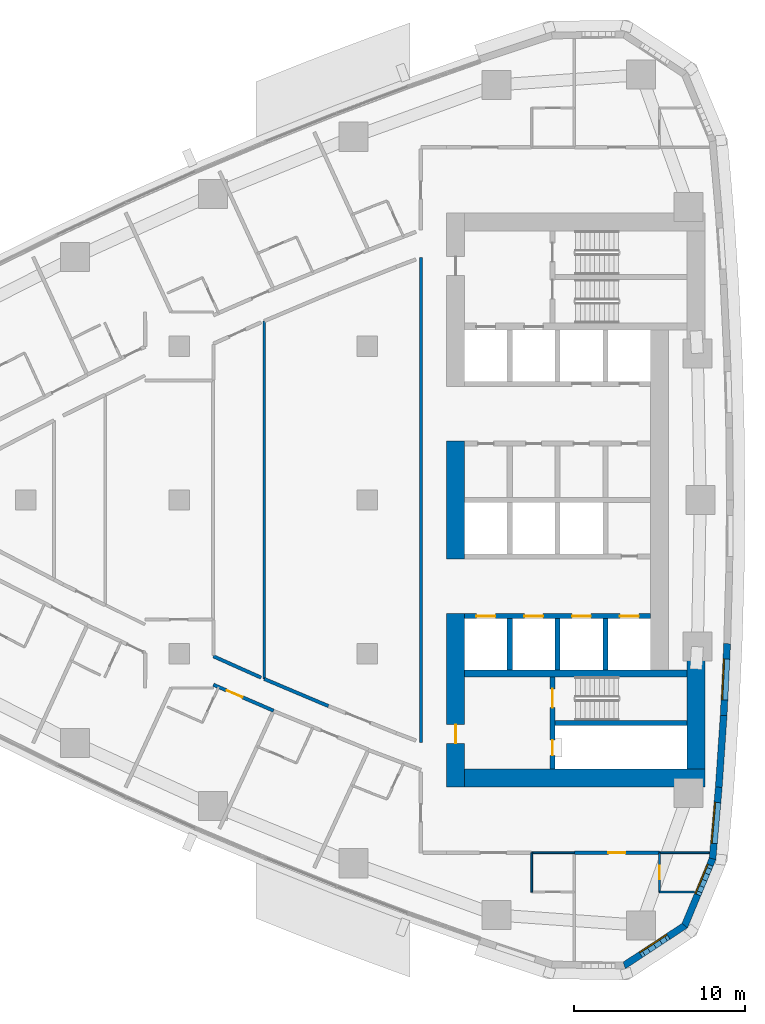
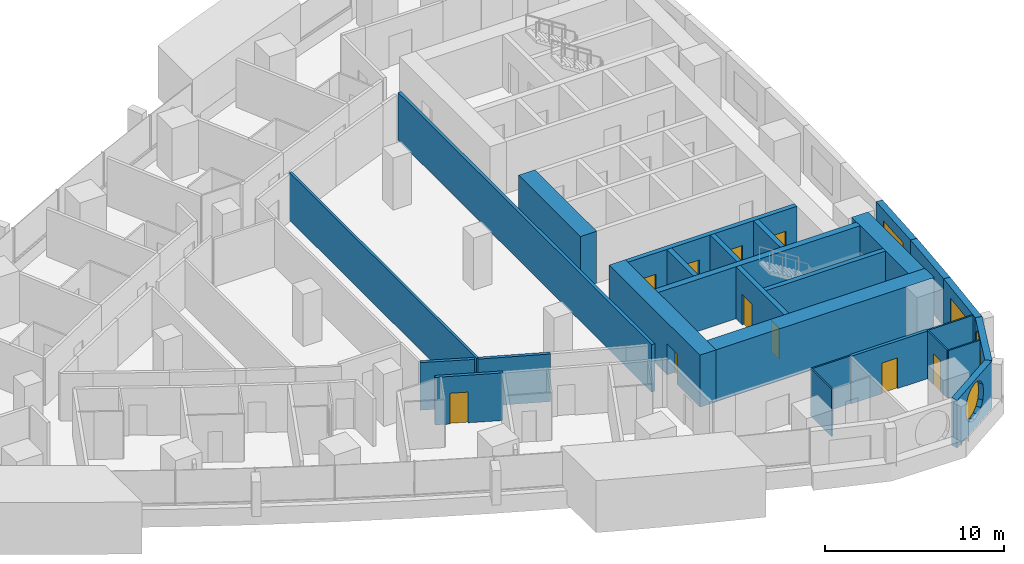
# One storey, part 10 of 17: 27 walls, 10 doors, 4 windows, 14 openings.
"""IFC4 building model written with IfcOpenShell, lengths in metres."""

from ifc_helpers import new_model, si_unit, direction, frame, frame_2d, origin, place, context, subcontext, project, spatial, polyline, rectangle, outline, extrude, material, layer, layer_set, type_object, element, fill, save


model = new_model("IFC4")

# Units and contexts
model_context = context("Model", 3, precision=1e-05, world=origin(), true_north=direction((0.0, 1.0)))
body_context = subcontext(model_context, "Body", "Model", "MODEL_VIEW")
ifc_project = project(units=[si_unit("LENGTHUNIT", "METRE"), si_unit("AREAUNIT", "SQUARE_METRE"), si_unit("VOLUMEUNIT", "CUBIC_METRE"), si_unit("PLANEANGLEUNIT", "RADIAN"), si_unit("MASSUNIT", "GRAM", prefix="KILO")], contexts=[model_context])

# Site, building, storey
site_placement = place(None, origin())
site = spatial("IfcSite", under=ifc_project, at=site_placement, CompositionType="ELEMENT")
building_placement = place(site_placement, origin())
building = spatial("IfcBuilding", under=site, at=building_placement, Name="Ostrand Prow Hotel Tower", CompositionType="ELEMENT")
storey_placement = place(building_placement, frame((0.0, 0.0, 106.199951171875)))
storey = spatial("IfcBuildingStorey", under=building, at=storey_placement, Name="L25", CompositionType="ELEMENT", Elevation=106.199951171875)

# Wall
ifc_material_1 = material(Name="Concrete C80/95", Category="concrete")
ifc_layer_1 = layer(ifc_material_1, 1.050048828125)
ifc_layer_set_1 = layer_set([ifc_layer_1], Name="Concrete C80/95")
wall_type_1 = type_object("IfcWallType", Name="Core wall 1050 C80/95", PredefinedType="SHEAR", material=ifc_layer_set_1)
wall_1_placement = place(storey_placement, frame((50.175048828125, -3.449951171875, 0.0), z_axis=(0.0, 0.0, 1.0), x_axis=(0.0, 1.0, 0.0)))
element("IfcWall", 1, at=wall_1_placement, inside=storey, type_object=wall_type_1, Name="Core wall CW-W-C", PredefinedType="SHEAR", context=body_context, shape_type="SweptSolid", body=[
    extrude(rectangle(XDim=6.89990234375, YDim=1.050048828125, at=frame_2d((3.449951171875, 0.0))), origin(), (0.0, 0.0, 1.0), 3.550048828125),
])

# Wall, opening, door
wall_2_placement = place(storey_placement, frame((50.175048828125, -16.800048828125, 0.0), z_axis=(0.0, 0.0, 1.0), x_axis=(0.0, 1.0, 0.0)))
wall_2 = element("IfcWall", 2, at=wall_2_placement, inside=storey, type_object=wall_type_1, Name="Core wall CW-W-S", PredefinedType="SHEAR", context=body_context, shape_type="SweptSolid", body=[
    extrude(rectangle(XDim=10.150146484375, YDim=1.050048828125, at=frame_2d((5.0751953125, 0.0))), origin(), (0.0, 0.0, 1.0), 3.550048828125),
])
opening_1_placement = place(wall_2_placement, frame((2.550048828125, 0.0, 0.0)))
opening_1 = element("IfcOpeningElement", 3, at=opening_1_placement, cuts=wall_2, Name="Opening FD1", PredefinedType="OPENING", context=body_context, shape_type="SweptSolid", body=[
    extrude(rectangle(XDim=1.10009765625, YDim=2.10009765625, at=frame_2d((0.550048828125, 1.050048828125))), frame((0.0, 0.534912109375, 0.0), z_axis=(0.0, -1.0, 0.0), x_axis=(1.0, 0.0, 0.0)), (0.0, 0.0, 1.0), 1.070068359375),
])
ifc_material_2 = material(Name="Steel fire door", Category="steel")
door_type_1 = type_object("IfcDoorType", Name="Fire door 1100 EI120", OperationType="SINGLE_SWING_RIGHT", PredefinedType="DOOR", material=ifc_material_2)
door_1_placement = place(opening_1_placement, origin())
door_1 = element("IfcDoor", 4, at=door_1_placement, inside=storey, type_object=door_type_1, Name="FIRE DOOR", OperationType="SINGLE_SWING_RIGHT", OverallHeight=2.10009765625, OverallWidth=1.10009765625, PredefinedType="DOOR", context=body_context, shape_type="SweptSolid", body=[
    extrude(rectangle(XDim=1.10009765625, YDim=2.10009765625, at=frame_2d((0.550048828125, 1.050048828125))), frame((0.0, 0.02490234375, 0.0), z_axis=(0.0, -1.0, 0.0), x_axis=(1.0, 0.0, 0.0)), (0.0, 0.0, 1.0), 0.050048828125),
])
fill(opening_1, door_1)

# Walls
wall_3_placement = place(storey_placement, frame((50.699951171875, -16.27490234375, 0.0), z_axis=(0.0, 0.0, 1.0), x_axis=(1.0, 0.0, 0.0)))
element("IfcWall", 5, at=wall_3_placement, inside=storey, type_object=wall_type_1, Name="Core wall CW-S", PredefinedType="SHEAR", context=body_context, shape_type="SweptSolid", body=[
    extrude(rectangle(XDim=14.070068359375, YDim=1.050048828125, at=frame_2d((7.03515625, 0.0))), origin(), (0.0, 0.0, 1.0), 3.550048828125),
])
wall_4_placement = place(storey_placement, frame((64.2451171875, -15.75, 0.0), z_axis=(0.0, 0.0, 1.0), x_axis=(0.0, 1.0, 0.0)))
element("IfcWall", 6, at=wall_4_placement, inside=storey, type_object=wall_type_1, Name="Core wall CW-E-S", PredefinedType="SHEAR", context=body_context, shape_type="SweptSolid", body=[
    extrude(rectangle(XDim=6.361328125, YDim=1.050048828125, at=frame_2d((3.1806640625, 0.0))), origin(), (0.0, 0.0, 1.0), 3.550048828125),
])

# Wall, openings, doors
ifc_material_3 = material(Name="Concrete C80/95", Category="concrete")
ifc_layer_2 = layer(ifc_material_3, 0.300048828125)
ifc_layer_set_2 = layer_set([ifc_layer_2], Name="Concrete C80/95")
wall_type_2 = type_object("IfcWallType", Name="Core wall 300 C80/95", PredefinedType="SHEAR", material=ifc_layer_set_2)
wall_5_placement = place(storey_placement, frame((50.699951171875, -6.800048828125, 0.0), z_axis=(0.0, 0.0, 1.0), x_axis=(1.0, 0.0, 0.0)))
wall_5 = element("IfcWall", 7, at=wall_5_placement, inside=storey, type_object=wall_type_2, Name="Core wall PW-L2-S", PredefinedType="SHEAR", context=body_context, shape_type="SweptSolid", body=[
    extrude(rectangle(XDim=10.900146484375, YDim=0.300048828125, at=frame_2d((5.4501953125, 0.0))), origin(), (0.0, 0.0, 1.0), 3.550048828125),
])
opening_2_placement = place(wall_5_placement, frame((0.699951171875, 0.0, 0.0)))
opening_2 = element("IfcOpeningElement", 8, at=opening_2_placement, cuts=wall_5, Name="Opening LD", PredefinedType="OPENING", context=body_context, shape_type="SweptSolid", body=[
    extrude(rectangle(XDim=1.10009765625, YDim=2.10009765625, at=frame_2d((0.550048828125, 1.050048828125))), frame((0.0, 0.159912109375, 0.0), z_axis=(0.0, -1.0, 0.0), x_axis=(1.0, 0.0, 0.0)), (0.0, 0.0, 1.0), 0.320068359375),
])
opening_3_placement = place(wall_5_placement, frame((3.5, 0.0, 0.0)))
opening_3 = element("IfcOpeningElement", 9, at=opening_3_placement, cuts=wall_5, Name="Opening LD", PredefinedType="OPENING", context=body_context, shape_type="SweptSolid", body=[
    extrude(rectangle(XDim=1.10009765625, YDim=2.10009765625, at=frame_2d((0.550048828125, 1.050048828125))), frame((0.0, 0.159912109375, 0.0), z_axis=(0.0, -1.0, 0.0), x_axis=(1.0, 0.0, 0.0)), (0.0, 0.0, 1.0), 0.320068359375),
])
opening_4_placement = place(wall_5_placement, frame((6.300048828125, 0.0, 0.0)))
opening_4 = element("IfcOpeningElement", 10, at=opening_4_placement, cuts=wall_5, Name="Opening LD", PredefinedType="OPENING", context=body_context, shape_type="SweptSolid", body=[
    extrude(rectangle(XDim=1.10009765625, YDim=2.10009765625, at=frame_2d((0.550048828125, 1.050048828125))), frame((0.0, 0.159912109375, 0.0), z_axis=(0.0, -1.0, 0.0), x_axis=(1.0, 0.0, 0.0)), (0.0, 0.0, 1.0), 0.320068359375),
])
opening_5_placement = place(wall_5_placement, frame((9.10009765625, 0.0, 0.0)))
opening_5 = element("IfcOpeningElement", 11, at=opening_5_placement, cuts=wall_5, Name="Opening LD", PredefinedType="OPENING", context=body_context, shape_type="SweptSolid", body=[
    extrude(rectangle(XDim=1.10009765625, YDim=2.10009765625, at=frame_2d((0.550048828125, 1.050048828125))), frame((0.0, 0.159912109375, 0.0), z_axis=(0.0, -1.0, 0.0), x_axis=(1.0, 0.0, 0.0)), (0.0, 0.0, 1.0), 0.320068359375),
])
ifc_material_4 = material(Name="Stainless steel door", Category="steel")
door_type_2 = type_object("IfcDoorType", Name="Lift landing door 1100", OperationType="DOUBLE_DOOR_SLIDING", PredefinedType="DOOR", material=ifc_material_4)
door_2_placement = place(opening_2_placement, origin())
door_2 = element("IfcDoor", 12, at=door_2_placement, inside=storey, type_object=door_type_2, Name="LIFT LANDING DOOR", OperationType="DOUBLE_DOOR_SLIDING", OverallHeight=2.10009765625, OverallWidth=1.10009765625, PredefinedType="DOOR", context=body_context, shape_type="SweptSolid", body=[
    extrude(rectangle(XDim=1.10009765625, YDim=2.10009765625, at=frame_2d((0.550048828125, 1.050048828125))), frame((0.0, 0.02490234375, 0.0), z_axis=(0.0, -1.0, 0.0), x_axis=(1.0, 0.0, 0.0)), (0.0, 0.0, 1.0), 0.050048828125),
])
fill(opening_2, door_2)
door_3_placement = place(opening_3_placement, origin())
door_3 = element("IfcDoor", 13, at=door_3_placement, inside=storey, type_object=door_type_2, Name="LIFT LANDING DOOR", OperationType="DOUBLE_DOOR_SLIDING", OverallHeight=2.10009765625, OverallWidth=1.10009765625, PredefinedType="DOOR", context=body_context, shape_type="SweptSolid", body=[
    extrude(rectangle(XDim=1.10009765625, YDim=2.10009765625, at=frame_2d((0.550048828125, 1.050048828125))), frame((0.0, 0.02490234375, 0.0), z_axis=(0.0, -1.0, 0.0), x_axis=(1.0, 0.0, 0.0)), (0.0, 0.0, 1.0), 0.050048828125),
])
fill(opening_3, door_3)
door_4_placement = place(opening_4_placement, origin())
door_4 = element("IfcDoor", 14, at=door_4_placement, inside=storey, type_object=door_type_2, Name="LIFT LANDING DOOR", OperationType="DOUBLE_DOOR_SLIDING", OverallHeight=2.10009765625, OverallWidth=1.10009765625, PredefinedType="DOOR", context=body_context, shape_type="SweptSolid", body=[
    extrude(rectangle(XDim=1.10009765625, YDim=2.10009765625, at=frame_2d((0.550048828125, 1.050048828125))), frame((0.0, 0.02490234375, 0.0), z_axis=(0.0, -1.0, 0.0), x_axis=(1.0, 0.0, 0.0)), (0.0, 0.0, 1.0), 0.050048828125),
])
fill(opening_4, door_4)
door_5_placement = place(opening_5_placement, origin())
door_5 = element("IfcDoor", 15, at=door_5_placement, inside=storey, type_object=door_type_2, Name="LIFT LANDING DOOR", OperationType="DOUBLE_DOOR_SLIDING", OverallHeight=2.10009765625, OverallWidth=1.10009765625, PredefinedType="DOOR", context=body_context, shape_type="SweptSolid", body=[
    extrude(rectangle(XDim=1.10009765625, YDim=2.10009765625, at=frame_2d((0.550048828125, 1.050048828125))), frame((0.0, 0.02490234375, 0.0), z_axis=(0.0, -1.0, 0.0), x_axis=(1.0, 0.0, 0.0)), (0.0, 0.0, 1.0), 0.050048828125),
])
fill(opening_5, door_5)

# Walls
for number, where, z_axis, x_axis, name in (
    (16, (53.35009765625, -9.949951171875, 0.0), (0.0, 0.0, 1.0), (0.0, 1.0, 0.0), "Core wall PW-R1-SA"),
    (17, (56.14990234375, -9.949951171875, 0.0), (0.0, 0.0, 1.0), (0.0, 1.0, 0.0), "Core wall PW-R2-SA"),
    (18, (58.949951171875, -9.949951171875, 0.0), (0.0, 0.0, 1.0), (0.0, 1.0, 0.0), "Core wall PW-R3-SA"),
):
    element("IfcWall", number, at=place(storey_placement, frame(where, z_axis=z_axis, x_axis=x_axis)), inside=storey, type_object=wall_type_2, Name=name, PredefinedType="SHEAR", context=body_context, shape_type="SweptSolid", body=[
        extrude(rectangle(XDim=3.0, YDim=0.300048828125, at=frame_2d((1.5, 0.0))), origin(), (0.0, 0.0, 1.0), 3.550048828125),
    ])

# Wall, openings, doors
wall_6_placement = place(storey_placement, frame((55.85009765625, -15.75, 0.0), z_axis=(0.0, 0.0, 1.0), x_axis=(0.0, 1.0, 0.0)))
wall_6 = element("IfcWall", 19, at=wall_6_placement, inside=storey, type_object=wall_type_2, Name="Core wall PW-VS", PredefinedType="SHEAR", context=body_context, shape_type="SweptSolid", body=[
    extrude(rectangle(XDim=5.39990234375, YDim=0.300048828125, at=frame_2d((2.699951171875, 0.0))), origin(), (0.0, 0.0, 1.0), 3.550048828125),
])
opening_6_placement = place(wall_6_placement, frame((3.60009765625, 0.0, 0.0)))
opening_6 = element("IfcOpeningElement", 20, at=opening_6_placement, cuts=wall_6, Name="Opening FD1", PredefinedType="OPENING", context=body_context, shape_type="SweptSolid", body=[
    extrude(rectangle(XDim=1.10009765625, YDim=2.10009765625, at=frame_2d((0.550048828125, 1.050048828125))), frame((0.0, 0.159912109375, 0.0), z_axis=(0.0, -1.0, 0.0), x_axis=(1.0, 0.0, 0.0)), (0.0, 0.0, 1.0), 0.320068359375),
])
opening_7_placement = place(wall_6_placement, frame((0.800048828125, 0.0, 0.0)))
opening_7 = element("IfcOpeningElement", 21, at=opening_7_placement, cuts=wall_6, Name="Opening FD2", PredefinedType="OPENING", context=body_context, shape_type="SweptSolid", body=[
    extrude(rectangle(XDim=0.89990234375, YDim=2.10009765625, at=frame_2d((0.449951171875, 1.050048828125))), frame((0.0, 0.159912109375, 0.0), z_axis=(0.0, -1.0, 0.0), x_axis=(1.0, 0.0, 0.0)), (0.0, 0.0, 1.0), 0.320068359375),
])
door_6_placement = place(opening_6_placement, origin())
door_6 = element("IfcDoor", 22, at=door_6_placement, inside=storey, type_object=door_type_1, Name="FIRE DOOR", OperationType="SINGLE_SWING_RIGHT", OverallHeight=2.10009765625, OverallWidth=1.10009765625, PredefinedType="DOOR", context=body_context, shape_type="SweptSolid", body=[
    extrude(rectangle(XDim=1.10009765625, YDim=2.10009765625, at=frame_2d((0.550048828125, 1.050048828125))), frame((0.0, 0.02490234375, 0.0), z_axis=(0.0, -1.0, 0.0), x_axis=(1.0, 0.0, 0.0)), (0.0, 0.0, 1.0), 0.050048828125),
])
fill(opening_6, door_6)
ifc_material_5 = material(Name="Steel fire door", Category="steel")
door_type_3 = type_object("IfcDoorType", Name="Fire door 900 EI120", OperationType="SINGLE_SWING_LEFT", PredefinedType="DOOR", material=ifc_material_5)
door_7_placement = place(opening_7_placement, origin())
door_7 = element("IfcDoor", 23, at=door_7_placement, inside=storey, type_object=door_type_3, Name="FIRE DOOR", OperationType="SINGLE_SWING_LEFT", OverallHeight=2.10009765625, OverallWidth=0.89990234375, PredefinedType="DOOR", context=body_context, shape_type="SweptSolid", body=[
    extrude(rectangle(XDim=0.89990234375, YDim=2.10009765625, at=frame_2d((0.449951171875, 1.050048828125))), frame((0.0, 0.02490234375, 0.0), z_axis=(0.0, -1.0, 0.0), x_axis=(1.0, 0.0, 0.0)), (0.0, 0.0, 1.0), 0.050048828125),
])
fill(opening_7, door_7)

# Walls
wall_7_placement = place(storey_placement, frame((56.0, -13.050048828125, 0.0), z_axis=(0.0, 0.0, 1.0), x_axis=(1.0, 0.0, 0.0)))
element("IfcWall", 24, at=wall_7_placement, inside=storey, type_object=wall_type_2, Name="Core wall PW-ST2R", PredefinedType="SHEAR", context=body_context, shape_type="SweptSolid", body=[
    extrude(rectangle(XDim=7.719970703125, YDim=0.300048828125, at=frame_2d((3.85986328125, 0.0))), origin(), (0.0, 0.0, 1.0), 3.550048828125),
])
ifc_material_6 = material(Name="Concrete C80/95", Category="concrete")
ifc_layer_3 = layer(ifc_material_6, 0.39990234375)
ifc_layer_set_3 = layer_set([ifc_layer_3], Name="Concrete C80/95")
wall_type_3 = type_object("IfcWallType", Name="Core wall 400 C80/95", PredefinedType="SHEAR", material=ifc_layer_set_3)
wall_8_placement = place(storey_placement, frame((50.699951171875, -10.14990234375, 0.0), z_axis=(0.0, 0.0, 1.0), x_axis=(1.0, 0.0, 0.0)))
element("IfcWall", 25, at=wall_8_placement, inside=storey, type_object=wall_type_3, Name="Core wall PW-BS", PredefinedType="SHEAR", context=body_context, shape_type="SweptSolid", body=[
    extrude(rectangle(XDim=13.02001953125, YDim=0.39990234375, at=frame_2d((6.510009765625, 0.0))), origin(), (0.0, 0.0, 1.0), 3.550048828125),
])
ifc_material_7 = material(Name="Plasterboard partition")
ifc_layer_4 = layer(ifc_material_7, 0.10009765625)
ifc_layer_set_4 = layer_set([ifc_layer_4], Name="Plasterboard partition")
wall_type_4 = type_object("IfcWallType", Name="Partition 100 bathroom wall", PredefinedType="PARTITIONING", material=ifc_layer_set_4)
wall_9_placement = place(storey_placement, frame((54.630615234375, -22.949951171875, 0.0), z_axis=(0.0, 0.0, 1.0), x_axis=(0.0, 1.0, 0.0)))
element("IfcWall", 26, at=wall_9_placement, inside=storey, type_object=wall_type_4, Name="BATHROOM WALL", PredefinedType="PARTITIONING", context=body_context, shape_type="SweptSolid", body=[
    extrude(rectangle(XDim=2.300048828125, YDim=0.10009765625, at=frame_2d((1.14990234375, 0.0))), origin(), (0.0, 0.0, 1.0), 3.25),
])
wall_10_placement = place(storey_placement, frame((64.160400390625, -22.949951171875, 0.0), z_axis=(0.0, 0.0, 1.0), x_axis=(-1.0, 0.0, 0.0)))
element("IfcWall", 27, at=wall_10_placement, inside=storey, type_object=wall_type_4, Name="BATHROOM WALL", PredefinedType="PARTITIONING", context=body_context, shape_type="SweptSolid", body=[
    extrude(rectangle(XDim=2.04931640625, YDim=0.10009765625, at=frame_2d((1.024658203125, 0.0))), origin(), (0.0, 0.0, 1.0), 3.25),
])

# Wall, opening, door
wall_11_placement = place(storey_placement, frame((62.111083984375, -22.949951171875, 0.0), z_axis=(0.0, 0.0, 1.0), x_axis=(0.0, 1.0, 0.0)))
wall_11 = element("IfcWall", 28, at=wall_11_placement, inside=storey, type_object=wall_type_4, Name="BATHROOM WALL", PredefinedType="PARTITIONING", context=body_context, shape_type="SweptSolid", body=[
    extrude(rectangle(XDim=2.300048828125, YDim=0.10009765625, at=frame_2d((1.14990234375, 0.0))), origin(), (0.0, 0.0, 1.0), 3.25),
])
opening_8_placement = place(wall_11_placement, frame((0.75, 0.0, 0.0)))
opening_8 = element("IfcOpeningElement", 29, at=opening_8_placement, cuts=wall_11, Name="Opening D2", PredefinedType="OPENING", context=body_context, shape_type="SweptSolid", body=[
    extrude(rectangle(XDim=0.800048828125, YDim=2.10009765625, at=frame_2d((0.39990234375, 1.050048828125))), frame((0.0, 0.06005859375, 0.0), z_axis=(0.0, -1.0, 0.0), x_axis=(1.0, 0.0, 0.0)), (0.0, 0.0, 1.0), 0.1201171875),
])
ifc_material_8 = material(Name="Timber door leaf", Category="wood")
door_type_4 = type_object("IfcDoorType", Name="Bathroom door 800", OperationType="SINGLE_SWING_LEFT", PredefinedType="DOOR", material=ifc_material_8)
door_8_placement = place(opening_8_placement, origin())
door_8 = element("IfcDoor", 30, at=door_8_placement, inside=storey, type_object=door_type_4, Name="DOOR", OperationType="SINGLE_SWING_LEFT", OverallHeight=2.10009765625, OverallWidth=0.800048828125, PredefinedType="DOOR", context=body_context, shape_type="SweptSolid", body=[
    extrude(rectangle(XDim=0.800048828125, YDim=2.10009765625, at=frame_2d((0.39990234375, 1.050048828125))), frame((0.0, 0.02490234375, 0.0), z_axis=(0.0, -1.0, 0.0), x_axis=(1.0, 0.0, 0.0)), (0.0, 0.0, 1.0), 0.050048828125),
])
fill(opening_8, door_8)

# Walls
wall_12_placement = place(storey_placement, frame((54.630615234375, -20.655029296875, 0.0), z_axis=(0.0, 0.0, 1.0), x_axis=(1.0, 0.0, 0.0)))
element("IfcWall", 31, at=wall_12_placement, inside=storey, type_object=wall_type_4, Name="BATHROOM WALL", PredefinedType="PARTITIONING", context=body_context, shape_type="SweptSolid", body=[
    extrude(rectangle(XDim=2.5, YDim=0.10009765625, at=frame_2d((1.25, 0.0))), origin(), (0.0, 0.0, 1.0), 3.25),
])
wall_13_placement = place(storey_placement, frame((62.111083984375, -20.655029296875, 0.0), z_axis=(0.0, 0.0, 1.0), x_axis=(1.0, 0.0, 0.0)))
element("IfcWall", 32, at=wall_13_placement, inside=storey, type_object=wall_type_4, Name="BATHROOM WALL", PredefinedType="PARTITIONING", context=body_context, shape_type="SweptSolid", body=[
    extrude(rectangle(XDim=2.90576171875, YDim=0.10009765625, at=frame_2d((1.452880859375, 0.0))), origin(), (0.0, 0.0, 1.0), 3.25),
])
ifc_material_9 = material(Name="Plasterboard partition")
ifc_layer_5 = layer(ifc_material_9, 0.14990234375)
ifc_layer_set_5 = layer_set([ifc_layer_5], Name="Plasterboard partition")
wall_type_5 = type_object("IfcWallType", Name="Partition 150 room partition", PredefinedType="PARTITIONING", material=ifc_layer_set_5)
wall_14_placement = place(storey_placement, frame((38.974609375, -10.474365234375, 0.0), z_axis=(0.0, 0.0, 1.0), x_axis=(0.0, 1.0, 0.0)))
element("IfcWall", 33, at=wall_14_placement, inside=storey, type_object=wall_type_5, Name="ROOM PARTITION", PredefinedType="PARTITIONING", context=body_context, shape_type="SweptSolid", body=[
    extrude(rectangle(XDim=20.94873046875, YDim=0.14990234375, at=frame_2d((10.474365234375, 0.0))), origin(), (0.0, 0.0, 1.0), 3.25),
])

# Wall, opening, door
ifc_material_10 = material(Name="Plasterboard partition")
ifc_layer_6 = layer(ifc_material_10, 0.199951171875)
ifc_layer_set_6 = layer_set([ifc_layer_6], Name="Plasterboard partition")
wall_type_6 = type_object("IfcWallType", Name="Partition 200 corridor wall", PredefinedType="PARTITIONING", material=ifc_layer_set_6)
wall_15_placement = place(storey_placement, frame((36.0, -10.814697265625, 0.0), z_axis=(0.0, 0.0, 1.0), x_axis=(0.918174446699, -0.396176331233, 0.0)))
wall_15 = element("IfcWall", 34, at=wall_15_placement, inside=storey, type_object=wall_type_6, Name="CORRIDOR WALL", PredefinedType="PARTITIONING", context=body_context, shape_type="SweptSolid", body=[
    extrude(rectangle(XDim=3.836181640625, YDim=0.199951171875, at=frame_2d((1.91796875, 0.0))), origin(), (0.0, 0.0, 1.0), 3.25),
])
opening_9_placement = place(wall_15_placement, frame((0.85009765625, 0.0, 0.0)))
opening_9 = element("IfcOpeningElement", 35, at=opening_9_placement, cuts=wall_15, Name="Opening D1", PredefinedType="OPENING", context=body_context, shape_type="SweptSolid", body=[
    extrude(rectangle(XDim=1.0, YDim=2.10009765625, at=frame_2d((0.5, 1.050048828125))), frame((0.0, 0.10986328125, 0.0), z_axis=(0.0, -1.0, 0.0), x_axis=(1.0, 0.0, 0.0)), (0.0, 0.0, 1.0), 0.219970703125),
])
ifc_material_11 = material(Name="Timber door leaf", Category="wood")
door_type_5 = type_object("IfcDoorType", Name="Guest room door 1000", OperationType="SINGLE_SWING_LEFT", PredefinedType="DOOR", material=ifc_material_11)
door_9_placement = place(opening_9_placement, origin())
door_9 = element("IfcDoor", 36, at=door_9_placement, inside=storey, type_object=door_type_5, Name="DOOR", OperationType="SINGLE_SWING_LEFT", OverallHeight=2.10009765625, OverallWidth=1.0, PredefinedType="DOOR", context=body_context, shape_type="SweptSolid", body=[
    extrude(rectangle(XDim=1.0, YDim=2.10009765625, at=frame_2d((0.5, 1.050048828125))), frame((0.0, 0.02490234375, 0.0), z_axis=(0.0, -1.0, 0.0), x_axis=(1.0, 0.0, 0.0)), (0.0, 0.0, 1.0), 0.050048828125),
])
fill(opening_9, door_9)

# Walls
wall_16_placement = place(storey_placement, frame((38.7919921875, -10.397216796875, 0.0), z_axis=(0.0, 0.0, 1.0), x_axis=(-0.913029587861, 0.407893333716, 0.0)))
element("IfcWall", 37, at=wall_16_placement, inside=storey, type_object=wall_type_6, Name="CORRIDOR WALL", PredefinedType="PARTITIONING", context=body_context, shape_type="SweptSolid", body=[
    extrude(rectangle(XDim=3.057861328125, YDim=0.199951171875, at=frame_2d((1.52880859375, 0.0))), origin(), (0.0, 0.0, 1.0), 3.25),
])
wall_17_placement = place(storey_placement, frame((42.727783203125, -12.0615234375, 0.0), z_axis=(0.0, 0.0, 1.0), x_axis=(-0.921030909625, 0.389489490891, 0.0)))
element("IfcWall", 38, at=wall_17_placement, inside=storey, type_object=wall_type_6, Name="CORRIDOR WALL", PredefinedType="PARTITIONING", context=body_context, shape_type="SweptSolid", body=[
    extrude(rectangle(XDim=4.074951171875, YDim=0.199951171875, at=frame_2d((2.03759765625, 0.0))), origin(), (0.0, 0.0, 1.0), 3.25),
])

# Wall, opening, door
wall_18_placement = place(storey_placement, frame((57.135498046875, -20.655029296875, 0.0), z_axis=(0.0, 0.0, 1.0), x_axis=(1.0, 0.0, 0.0)))
wall_18 = element("IfcWall", 39, at=wall_18_placement, inside=storey, type_object=wall_type_6, Name="CORRIDOR WALL", PredefinedType="PARTITIONING", context=body_context, shape_type="SweptSolid", body=[
    extrude(rectangle(XDim=4.970703125, YDim=0.199951171875, at=frame_2d((2.4853515625, 0.0))), origin(), (0.0, 0.0, 1.0), 3.25),
])
opening_10_placement = place(wall_18_placement, frame((1.9853515625, 0.0, 0.0)))
opening_10 = element("IfcOpeningElement", 40, at=opening_10_placement, cuts=wall_18, Name="Opening D1R", PredefinedType="OPENING", context=body_context, shape_type="SweptSolid", body=[
    extrude(rectangle(XDim=1.0, YDim=2.10009765625, at=frame_2d((0.5, 1.050048828125))), frame((0.0, 0.10986328125, 0.0), z_axis=(0.0, -1.0, 0.0), x_axis=(1.0, 0.0, 0.0)), (0.0, 0.0, 1.0), 0.219970703125),
])
ifc_material_12 = material(Name="Timber door leaf", Category="wood")
door_type_6 = type_object("IfcDoorType", Name="Guest room door 1000 right", OperationType="SINGLE_SWING_RIGHT", PredefinedType="DOOR", material=ifc_material_12)
door_10_placement = place(opening_10_placement, origin())
door_10 = element("IfcDoor", 41, at=door_10_placement, inside=storey, type_object=door_type_6, Name="DOOR", OperationType="SINGLE_SWING_RIGHT", OverallHeight=2.10009765625, OverallWidth=1.0, PredefinedType="DOOR", context=body_context, shape_type="SweptSolid", body=[
    extrude(rectangle(XDim=1.0, YDim=2.10009765625, at=frame_2d((0.5, 1.050048828125))), frame((0.0, 0.02490234375, 0.0), z_axis=(0.0, -1.0, 0.0), x_axis=(1.0, 0.0, 0.0)), (0.0, 0.0, 1.0), 0.050048828125),
])
fill(opening_10, door_10)

# Wall
wall_19_placement = place(storey_placement, frame((48.14990234375, 14.188720703125, 0.0), z_axis=(0.0, 0.0, 1.0), x_axis=(0.0, -1.0, 0.0)))
element("IfcWall", 42, at=wall_19_placement, inside=storey, type_object=wall_type_6, Name="CORRIDOR WALL", PredefinedType="PARTITIONING", context=body_context, shape_type="SweptSolid", body=[
    extrude(rectangle(XDim=28.37744140625, YDim=0.199951171875, at=frame_2d((14.188720703125, 0.0))), origin(), (0.0, 0.0, 1.0), 3.25),
])

# Wall, opening, window
ifc_material_13 = material(Name="Precast concrete C40/50", Category="concrete")
ifc_layer_7 = layer(ifc_material_13, 0.39990234375)
ifc_layer_set_7 = layer_set([ifc_layer_7], Name="Precast concrete C40/50")
wall_type_7 = type_object("IfcWallType", Name="Stone-faced precast wall 400 mm", PredefinedType="NOTDEFINED", material=ifc_layer_set_7)
wall_20_placement = place(storey_placement, frame((60.048583984375, -27.245849609375, 0.0), z_axis=(0.0, 0.0, 1.0), x_axis=(0.835340523653, 0.549732852887, 0.0)))
wall_20 = element("IfcWall", 43, at=wall_20_placement, inside=storey, type_object=wall_type_7, Name="Stone-faced wall back 3", PredefinedType="NOTDEFINED", context=body_context, shape_type="SweptSolid", body=[
    extrude(outline(polyline([(-0.061279296875, -0.199951171875), (4.30029296875, -0.199951171875), (4.177734375, 0.199951171875), (0.061279296875, 0.199951171875), (-0.061279296875, -0.199951171875)])), origin(), (0.0, 0.0, 1.0), 3.25),
])
opening_11_placement = place(wall_20_placement, frame((1.01953125, 0.0, 0.60009765625)))
opening_11 = element("IfcOpeningElement", 44, at=opening_11_placement, cuts=wall_20, Name="Opening WP2", PredefinedType="OPENING", context=body_context, shape_type="SweptSolid", body=[
    extrude(outline(polyline([(0.0, 1.35009765625), (0.083740234375, 1.77099609375), (0.322265625, 2.127685546875), (0.678955078125, 2.3662109375), (1.10009765625, 2.449951171875), (1.52099609375, 2.3662109375), (1.877685546875, 2.127685546875), (2.1162109375, 1.77099609375), (2.199951171875, 1.35009765625), (2.199951171875, 1.10009765625), (2.1162109375, 0.678955078125), (1.877685546875, 0.322265625), (1.52099609375, 0.083740234375), (1.10009765625, 0.0), (0.678955078125, 0.083740234375), (0.322265625, 0.322265625), (0.083740234375, 0.678955078125), (0.0, 1.099853515625), (0.0, 1.35009765625)])), frame((0.0, 0.2099609375, 0.0), z_axis=(0.0, -1.0, 0.0), x_axis=(1.0, 0.0, 0.0)), (0.0, 0.0, 1.0), 0.419921875),
])
ifc_material_14 = material(Name="Insulated glass in bronze frame", Category="glass")
window_type_1 = type_object("IfcWindowType", Name="Round-ended prow lounge window 2200x2450", PartitioningType="SINGLE_PANEL", PredefinedType="WINDOW", material=ifc_material_14)
window_1_placement = place(opening_11_placement, origin())
window_1 = element("IfcWindow", 45, at=window_1_placement, inside=storey, type_object=window_type_1, Name="Window back 3.1", OverallHeight=2.449951171875, OverallWidth=2.199951171875, PartitioningType="SINGLE_PANEL", PredefinedType="WINDOW", context=body_context, shape_type="SweptSolid", body=[
    extrude(outline(polyline([(0.0, 1.35009765625), (0.083740234375, 1.77099609375), (0.322265625, 2.127685546875), (0.678955078125, 2.3662109375), (1.10009765625, 2.449951171875), (1.52099609375, 2.3662109375), (1.877685546875, 2.127685546875), (2.1162109375, 1.77099609375), (2.199951171875, 1.35009765625), (2.199951171875, 1.10009765625), (2.1162109375, 0.678955078125), (1.877685546875, 0.322265625), (1.52099609375, 0.083740234375), (1.10009765625, 0.0), (0.678955078125, 0.083740234375), (0.322265625, 0.322265625), (0.083740234375, 0.678955078125), (0.0, 1.099853515625), (0.0, 1.35009765625)])), frame((0.0, 0.169921875, 0.0), z_axis=(0.0, -1.0, 0.0), x_axis=(1.0, 0.0, 0.0)), (0.0, 0.0, 1.0), 0.06005859375),
])
fill(opening_11, window_1)

wall_21_placement = place(storey_placement, frame((63.589599609375, -24.91552734375, 0.0), z_axis=(0.0, 0.0, 1.0), x_axis=(0.383997751971, 0.923334027577, 0.0)))
wall_21 = element("IfcWall", 46, at=wall_21_placement, inside=storey, type_object=wall_type_7, Name="Stone-faced wall back 4", PredefinedType="NOTDEFINED", context=body_context, shape_type="SweptSolid", body=[
    extrude(outline(polyline([(-0.061279296875, -0.199951171875), (4.269775390625, -0.199951171875), (4.207763671875, 0.199951171875), (0.061279296875, 0.199951171875), (-0.061279296875, -0.199951171875)])), origin(), (0.0, 0.0, 1.0), 3.25),
])
opening_12_placement = place(wall_21_placement, frame((1.852294921875, 0.0, 0.60009765625)))
opening_12 = element("IfcOpeningElement", 47, at=opening_12_placement, cuts=wall_21, Name="Opening WP2-21", PredefinedType="OPENING", context=body_context, shape_type="SweptSolid", body=[
    extrude(outline(polyline([(0.0, 1.39990234375), (0.079833984375, 1.8017578125), (0.3076171875, 2.142333984375), (0.648193359375, 2.3701171875), (1.050048828125, 2.449951171875), (1.451904296875, 2.3701171875), (1.79248046875, 2.142333984375), (2.020263671875, 1.8017578125), (2.10009765625, 1.39990234375), (2.10009765625, 1.050048828125), (2.020263671875, 0.648193359375), (1.79248046875, 0.3076171875), (1.451904296875, 0.079833984375), (1.050048828125, 0.0), (0.648193359375, 0.079833984375), (0.3076171875, 0.3076171875), (0.079833984375, 0.648193359375), (0.0, 1.050048828125), (0.0, 1.39990234375)])), frame((0.0, 0.2099609375, 0.0), z_axis=(0.0, -1.0, 0.0), x_axis=(1.0, 0.0, 0.0)), (0.0, 0.0, 1.0), 0.419921875),
])
ifc_material_15 = material(Name="Insulated glass in bronze frame", Category="glass")
window_type_2 = type_object("IfcWindowType", Name="Round-ended prow lounge window 2100x2450", PartitioningType="SINGLE_PANEL", PredefinedType="WINDOW", material=ifc_material_15)
window_2_placement = place(opening_12_placement, origin())
window_2 = element("IfcWindow", 48, at=window_2_placement, inside=storey, type_object=window_type_2, Name="Window back 4.1", OverallHeight=2.449951171875, OverallWidth=2.10009765625, PartitioningType="SINGLE_PANEL", PredefinedType="WINDOW", context=body_context, shape_type="SweptSolid", body=[
    extrude(outline(polyline([(0.0, 1.39990234375), (0.079833984375, 1.8017578125), (0.3076171875, 2.142333984375), (0.648193359375, 2.3701171875), (1.050048828125, 2.449951171875), (1.451904296875, 2.3701171875), (1.79248046875, 2.142333984375), (2.020263671875, 1.8017578125), (2.10009765625, 1.39990234375), (2.10009765625, 1.050048828125), (2.020263671875, 0.648193359375), (1.79248046875, 0.3076171875), (1.451904296875, 0.079833984375), (1.050048828125, 0.0), (0.648193359375, 0.079833984375), (0.3076171875, 0.3076171875), (0.079833984375, 0.648193359375), (0.0, 1.050048828125), (0.0, 1.39990234375)])), frame((0.0, 0.169921875, 0.0), z_axis=(0.0, -1.0, 0.0), x_axis=(1.0, 0.0, 0.0)), (0.0, 0.0, 1.0), 0.06005859375),
])
fill(opening_12, window_2)

wall_22_placement = place(storey_placement, frame((65.21728515625, -21.001708984375, 0.0), z_axis=(0.0, 0.0, 1.0), x_axis=(0.086992730434, 0.996208946382, 0.0)))
wall_22 = element("IfcWall", 49, at=wall_22_placement, inside=storey, type_object=wall_type_7, Name="Stone-faced wall back 5", PredefinedType="NOTDEFINED", context=body_context, shape_type="SweptSolid", body=[
    extrude(outline(polyline([(-0.031005859375, -0.199951171875), (4.208740234375, -0.199951171875), (4.204833984375, 0.199951171875), (0.031005859375, 0.199951171875), (-0.031005859375, -0.199951171875)])), origin(), (0.0, 0.0, 1.0), 3.25),
])
opening_13_placement = place(wall_22_placement, frame((0.9033203125, 0.0, 0.5)))
opening_13 = element("IfcOpeningElement", 50, at=opening_13_placement, cuts=wall_22, Name="Opening WA1", PredefinedType="OPENING", context=body_context, shape_type="SweptSolid", body=[
    extrude(rectangle(XDim=2.39990234375, YDim=2.0, at=frame_2d((1.199951171875, 1.0))), frame((0.0, 0.2099609375, 0.0), z_axis=(0.0, -1.0, 0.0), x_axis=(1.0, 0.0, 0.0)), (0.0, 0.0, 1.0), 0.419921875),
])
ifc_material_16 = material(Name="Insulated glass in bronze frame", Category="glass")
window_type_3 = type_object("IfcWindowType", Name="Amenity picture window 2400x2000", PartitioningType="SINGLE_PANEL", PredefinedType="WINDOW", material=ifc_material_16)
window_3_placement = place(opening_13_placement, origin())
window_3 = element("IfcWindow", 51, at=window_3_placement, inside=storey, type_object=window_type_3, Name="Window back 5.1", OverallHeight=2.0, OverallWidth=2.39990234375, PartitioningType="SINGLE_PANEL", PredefinedType="WINDOW", context=body_context, shape_type="SweptSolid", body=[
    extrude(rectangle(XDim=2.39990234375, YDim=2.0, at=frame_2d((1.199951171875, 1.0))), frame((0.0, 0.169921875, 0.0), z_axis=(0.0, -1.0, 0.0), x_axis=(1.0, 0.0, 0.0)), (0.0, 0.0, 1.0), 0.06005859375),
])
fill(opening_13, window_3)

# Wall
wall_23_placement = place(storey_placement, frame((65.583251953125, -16.810791015625, 0.0), z_axis=(0.0, 0.0, 1.0), x_axis=(0.067724559895, 0.997704056315, 0.0)))
element("IfcWall", 52, at=wall_23_placement, inside=storey, type_object=wall_type_7, Name="Stone-faced wall back 6", PredefinedType="NOTDEFINED", context=body_context, shape_type="SweptSolid", body=[
    extrude(outline(polyline([(-0.001953125, -0.199951171875), (4.208984375, -0.199951171875), (4.205078125, 0.199951171875), (0.001953125, 0.199951171875), (-0.001953125, -0.199951171875)])), origin(), (0.0, 0.0, 1.0), 3.25),
])

# Wall, opening, window
wall_24_placement = place(storey_placement, frame((65.8681640625, -12.613525390625, 0.0), z_axis=(0.0, 0.0, 1.0), x_axis=(0.048342691508, 0.998830808585, 0.0)))
wall_24 = element("IfcWall", 53, at=wall_24_placement, inside=storey, type_object=wall_type_7, Name="Stone-faced wall back 7", PredefinedType="NOTDEFINED", context=body_context, shape_type="SweptSolid", body=[
    extrude(outline(polyline([(-0.001953125, -0.199951171875), (4.208740234375, -0.199951171875), (4.204833984375, 0.199951171875), (0.001953125, 0.199951171875), (-0.001953125, -0.199951171875)])), origin(), (0.0, 0.0, 1.0), 3.25),
])
opening_14_placement = place(wall_24_placement, frame((0.9033203125, 0.0, 0.5)))
opening_14 = element("IfcOpeningElement", 54, at=opening_14_placement, cuts=wall_24, Name="Opening WA1", PredefinedType="OPENING", context=body_context, shape_type="SweptSolid", body=[
    extrude(rectangle(XDim=2.39990234375, YDim=2.0, at=frame_2d((1.199951171875, 1.0))), frame((0.0, 0.2099609375, 0.0), z_axis=(0.0, -1.0, 0.0), x_axis=(1.0, 0.0, 0.0)), (0.0, 0.0, 1.0), 0.419921875),
])
window_4_placement = place(opening_14_placement, origin())
window_4 = element("IfcWindow", 55, at=window_4_placement, inside=storey, type_object=window_type_3, Name="Window back 7.1", OverallHeight=2.0, OverallWidth=2.39990234375, PartitioningType="SINGLE_PANEL", PredefinedType="WINDOW", context=body_context, shape_type="SweptSolid", body=[
    extrude(rectangle(XDim=2.39990234375, YDim=2.0, at=frame_2d((1.199951171875, 1.0))), frame((0.0, 0.169921875, 0.0), z_axis=(0.0, -1.0, 0.0), x_axis=(1.0, 0.0, 0.0)), (0.0, 0.0, 1.0), 0.06005859375),
])
fill(opening_14, window_4)

save(model, "model.ifc")
